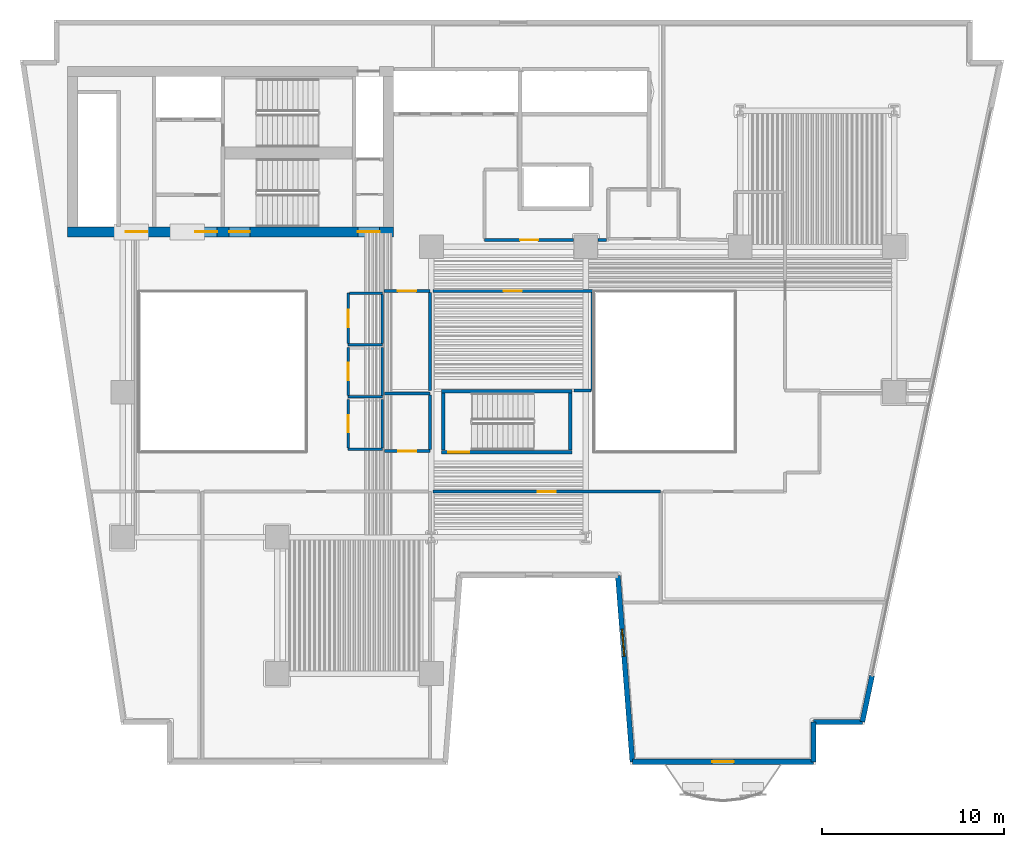
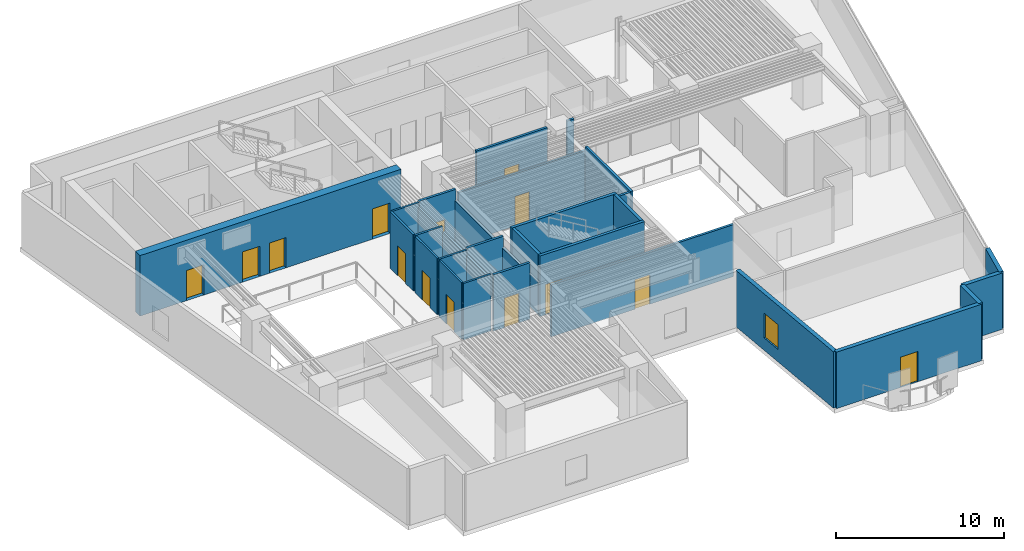
# One storey, part 4 of 11: 31 walls, 14 doors, 1 window, 15 openings.
"""IFC4 building model written with IfcOpenShell, lengths in metres."""

import ifcopenshell
import ifcopenshell.guid

model = None  # the IFC model being written
_history = None  # IfcOwnerHistory: only IFC2X3 demands one
_inside = {}  # id of a spatial element -> (the spatial element, [elements in it])
_under = {}  # id of a project, library or spatial element -> (it, [spatial elements below it])
_declared = {}  # id of a project -> (the project, [libraries it declares])
_typed = {}  # id of a type object -> (the type object, [elements of that type])
_made_of = {}  # id of a material, layer set ... -> (it, [elements and type objects made of it])


def new_model(schema):
    """Start an empty IFC model of exactly this schema.

    Asked for "IFC4X3", IfcOpenShell would pick the latest addendum, in which some entities
    have other attributes; the version numbers below select the first issue.
    IFC2X3 requires an IfcOwnerHistory on every rooted entity: one is made here for all.
    """
    global model, _history
    if schema == "IFC4X3":
        model = ifcopenshell.file(schema_version=(4, 3, 0, 0))
    else:
        model = ifcopenshell.file(schema=schema)
    _inside.clear()
    _under.clear()
    _declared.clear()
    _typed.clear()
    _made_of.clear()
    _history = None
    if model.schema == "IFC2X3":
        org = make("IfcOrganization", Name="unknown")
        user = make(
            "IfcPersonAndOrganization",
            ThePerson=make("IfcPerson", FamilyName="unknown"),
            TheOrganization=org,
        )
        app = make(
            "IfcApplication",
            ApplicationDeveloper=org,
            Version="unknown",
            ApplicationFullName="unknown",
            ApplicationIdentifier="unknown",
        )
        _history = make(
            "IfcOwnerHistory",
            OwningUser=user,
            OwningApplication=app,
            ChangeAction="ADDED",
            CreationDate=0,
        )
    return model


def make(cls, **values):
    """One entity of the class cls with the attributes given. An attribute that is None is left unset."""
    return model.create_entity(
        cls, **{name: value for name, value in values.items() if value is not None}
    )


def rooted(cls, **values):
    """An entity with a GlobalId (a new one), such as an element, a storey or a relation."""
    return make(cls, GlobalId=ifcopenshell.guid.new(), OwnerHistory=_history, **values)


def si_unit(unit_type, name, prefix=None):
    """IfcSIUnit, for example si_unit("LENGTHUNIT", "METRE", prefix="MILLI")."""
    return make("IfcSIUnit", UnitType=unit_type, Prefix=prefix, Name=name)


def assignment(units):
    """IfcUnitAssignment: the units of a project."""
    return None if units is None else make("IfcUnitAssignment", Units=units)


def point(xyz):
    """IfcCartesianPoint."""
    return None if xyz is None else make("IfcCartesianPoint", Coordinates=xyz)


def direction(xyz):
    """IfcDirection."""
    return None if xyz is None else make("IfcDirection", DirectionRatios=xyz)


def frame(location, z_axis=None, x_axis=None):
    """IfcAxis2Placement3D, a coordinate frame: its origin and axes. An axis left out is left unset."""
    return make(
        "IfcAxis2Placement3D",
        Location=point(location),
        Axis=direction(z_axis),
        RefDirection=direction(x_axis),
    )


def frame_2d(location, x_axis=None):
    """IfcAxis2Placement2D, a coordinate frame in the plane: its origin and x axis."""
    return make(
        "IfcAxis2Placement2D", Location=point(location), RefDirection=direction(x_axis)
    )


def origin():
    """The frame at (0, 0, 0) with its axes left unset."""
    return frame((0.0, 0.0, 0.0))


def place(relative_to, where):
    """IfcLocalPlacement: puts the frame where relative to a parent placement (None: the world)."""
    return make(
        "IfcLocalPlacement", PlacementRelTo=relative_to, RelativePlacement=where
    )


def context(
    kind, dimensions, precision=None, world=None, true_north=None, identifier=None
):
    """IfcGeometricRepresentationContext, for example the 3D "Model" context."""
    return make(
        "IfcGeometricRepresentationContext",
        ContextIdentifier=identifier,
        ContextType=kind,
        CoordinateSpaceDimension=dimensions,
        Precision=precision,
        WorldCoordinateSystem=world,
        TrueNorth=true_north,
    )


def subcontext(parent, identifier, kind, view, scale=None):
    """IfcGeometricRepresentationSubContext, for example "Body" below "Model"."""
    return make(
        "IfcGeometricRepresentationSubContext",
        ContextIdentifier=identifier,
        ContextType=kind,
        ParentContext=parent,
        TargetScale=scale,
        TargetView=view,
    )


def project(units=None, contexts=None):
    """IfcProject with its units and contexts."""
    return rooted(
        "IfcProject",
        Name="project",
        RepresentationContexts=contexts,
        UnitsInContext=assignment(units),
    )


def spatial(cls, under=None, at=None, **own):
    """A site, building, storey or space (cls), placed at a placement, below another one or the project."""
    s = rooted(cls, ObjectPlacement=at, **own)
    if under is not None:
        _under.setdefault(under.id(), (under, []))[1].append(s)
    return s


def profile(cls, at=None, kind="AREA", **sizes):
    """A parametric profile (cls). Its sizes go by their IFC names, for example OverallWidth=200.0."""
    return make(cls, ProfileType=kind, Position=at, **sizes)


def rectangle(**sizes):
    """IfcRectangleProfileDef."""
    return profile("IfcRectangleProfileDef", **sizes)


def extrude(swept, where, along, depth):
    """IfcExtrudedAreaSolid: the profile swept, set in the frame where, extruded along a direction by depth."""
    return make(
        "IfcExtrudedAreaSolid",
        SweptArea=swept,
        Position=where,
        ExtrudedDirection=direction(along),
        Depth=depth,
    )


def shape(context_of_items, identifier, shape_type, items):
    """IfcShapeRepresentation: the items that make up one representation, for example the "Body"."""
    return make(
        "IfcShapeRepresentation",
        ContextOfItems=context_of_items,
        RepresentationIdentifier=identifier,
        RepresentationType=shape_type,
        Items=items,
    )


def material(Name=None, Category=None):
    """IfcMaterial."""
    return make("IfcMaterial", Name=Name, Category=Category)


def layer(
    of_material, thickness, ventilated=None, Name=None, Category=None, Priority=None
):
    """IfcMaterialLayer: one layer of a wall or slab, of a material (None: an air gap)."""
    return make(
        "IfcMaterialLayer",
        Material=of_material,
        LayerThickness=thickness,
        IsVentilated=ventilated,
        Name=Name,
        Category=Category,
        Priority=Priority,
    )


def layer_set(layers, Name=None):
    """IfcMaterialLayerSet."""
    return make("IfcMaterialLayerSet", MaterialLayers=layers, LayerSetName=Name)


def made_of(thing, what):
    """Note that an element or type object is made of a material, layer set ...; save() writes the relation."""
    if what is not None:
        _made_of.setdefault(what.id(), (what, []))[1].append(thing)
    return thing


def type_object(cls, material=None, **own):
    """A type object (cls), such as IfcWallType, which elements share."""
    return made_of(rooted(cls, **own), material)


def element(
    cls,
    number,
    at=None,
    inside=None,
    cuts=None,
    type_object=None,
    material=None,
    context=None,
    identifier="Body",
    shape_type=None,
    held_by="IfcProductDefinitionShape",
    body=None,
    shapes=None,
    **own,
):
    """One element of the class cls, such as IfcWall. Its Tag is "e" and its number.

    at: its placement. inside: the storey or other place that contains it. cuts: it is an
    opening in that element (IfcRelVoidsElement). A single representation is given by context,
    identifier, shape_type and body (its items); several are given by shapes. held_by: the class
    of the entity that holds the representations. save() writes the other relations.
    """
    e = rooted(cls, Tag="e%d" % number, ObjectPlacement=at, **own)
    if body is not None:
        shapes = [shape(context, identifier, shape_type, body)]
    if shapes is not None:
        e.Representation = make(held_by, Representations=shapes)
    if inside is not None:
        _inside.setdefault(inside.id(), (inside, []))[1].append(e)
    if cuts is not None:
        rooted(
            "IfcRelVoidsElement", RelatingBuildingElement=cuts, RelatedOpeningElement=e
        )
    if type_object is not None:
        _typed.setdefault(type_object.id(), (type_object, []))[1].append(e)
    return made_of(e, material)


def fill(opening, filler):
    """IfcRelFillsElement: the door or window that sits in an opening."""
    return rooted(
        "IfcRelFillsElement",
        RelatingOpeningElement=opening,
        RelatedBuildingElement=filler,
    )


def aggregate(whole, parts):
    """IfcRelAggregates: a whole, such as a stair, and the parts it consists of."""
    return rooted("IfcRelAggregates", RelatingObject=whole, RelatedObjects=parts)


def save(model, path):
    """Write the relations noted so far, then the file.

    IfcRelAggregates (storeys below a building ...), IfcRelContainedInSpatialStructure (elements
    in a storey), IfcRelDefinesByType, IfcRelAssociatesMaterial and IfcRelDeclares: one each for
    every whole, place, type object, material and project.
    """
    for whole, parts in _under.values():
        aggregate(whole, parts)
    for where, things in _inside.values():
        rooted(
            "IfcRelContainedInSpatialStructure",
            RelatedElements=things,
            RelatingStructure=where,
        )
    for kind, things in _typed.values():
        rooted("IfcRelDefinesByType", RelatedObjects=things, RelatingType=kind)
    for what, things in _made_of.values():
        rooted("IfcRelAssociatesMaterial", RelatedObjects=things, RelatingMaterial=what)
    for by, libraries in _declared.values():
        rooted("IfcRelDeclares", RelatingContext=by, RelatedDefinitions=libraries)
    model.write(path)


model = new_model("IFC4")

# Units and contexts
model_context = context("Model", 3, precision=1e-05, world=origin(), true_north=direction((0.0, 1.0)))
body_context = subcontext(model_context, "Body", "Model", "MODEL_VIEW")
ifc_project = project(units=[si_unit("LENGTHUNIT", "METRE"), si_unit("AREAUNIT", "SQUARE_METRE"), si_unit("VOLUMEUNIT", "CUBIC_METRE"), si_unit("PLANEANGLEUNIT", "RADIAN"), si_unit("MASSUNIT", "GRAM", prefix="KILO")], contexts=[model_context])

# Site, building, storey
site_placement = place(None, origin())
site = spatial("IfcSite", under=ifc_project, at=site_placement, CompositionType="ELEMENT")
building_placement = place(site_placement, origin())
building = spatial("IfcBuilding", under=site, at=building_placement, Name="Caeloran Harvest Quay", CompositionType="ELEMENT")
storey_placement = place(building_placement, frame((0.0, 0.0, 49.0)))
storey = spatial("IfcBuildingStorey", under=building, at=storey_placement, Name="L11", CompositionType="ELEMENT", Elevation=49.0)

# Walls
ifc_material_1 = material(Name="Precast concrete C50/60", Category="concrete")
ifc_layer_1 = layer(ifc_material_1, 0.280029296875, Name="Precast concrete C50/60")
ifc_layer_set_1 = layer_set([ifc_layer_1], Name="Precast concrete C50/60")
wall_type_1 = type_object("IfcWallType", Name="ENV-WALL-EW-280", PredefinedType="STANDARD", material=ifc_layer_set_1)
wall_1_placement = place(storey_placement, frame((49.77001953125, 7.384521484375, 0.0), z_axis=(0.0, 0.0, 1.0), x_axis=(-0.205551409765, -0.978646319128, 0.0)))
element("IfcWall", 1, at=wall_1_placement, inside=storey, type_object=wall_type_1, Name="L11 Exterior Facade Corner Pier Wall 9B", PredefinedType="STANDARD", context=body_context, shape_type="SweptSolid", body=[
    extrude(rectangle(XDim=2.599853515625, YDim=0.280029296875, at=frame_2d((1.2998046875, 0.0))), origin(), (0.0, 0.0, 1.0), 4.10009765625),
])
wall_2_placement = place(storey_placement, frame((49.235595703125, 4.840087890625, 0.0), z_axis=(0.0, 0.0, 1.0), x_axis=(-1.0, 0.0, 0.0)))
element("IfcWall", 2, at=wall_2_placement, inside=storey, type_object=wall_type_1, Name="L11 Exterior Precast Concrete Facade Wall 10", PredefinedType="STANDARD", context=body_context, shape_type="SweptSolid", body=[
    extrude(rectangle(XDim=2.6884765625, YDim=0.280029296875, at=frame_2d((1.34423828125, 0.0))), origin(), (0.0, 0.0, 1.0), 4.10009765625),
])
wall_3_placement = place(storey_placement, frame((46.547119140625, 4.840087890625, 0.0), z_axis=(0.0, 0.0, 1.0), x_axis=(0.0, -1.0, 0.0)))
element("IfcWall", 3, at=wall_3_placement, inside=storey, type_object=wall_type_1, Name="L11 Exterior Precast Concrete Facade Wall 11", PredefinedType="STANDARD", context=body_context, shape_type="SweptSolid", body=[
    extrude(rectangle(XDim=2.2001953125, YDim=0.280029296875, at=frame_2d((1.10009765625, 0.0))), origin(), (0.0, 0.0, 1.0), 4.10009765625),
])

# Wall, opening, door
wall_4_placement = place(storey_placement, frame((46.547119140625, 2.639892578125, 0.0), z_axis=(0.0, 0.0, 1.0), x_axis=(-1.0, 0.0, 0.0)))
wall_4 = element("IfcWall", 4, at=wall_4_placement, inside=storey, type_object=wall_type_1, Name="L11 Exterior Precast Concrete Facade Wall 12", PredefinedType="STANDARD", context=body_context, shape_type="SweptSolid", body=[
    extrude(rectangle(XDim=9.97705078125, YDim=0.280029296875, at=frame_2d((4.988525390625, 0.0))), origin(), (0.0, 0.0, 1.0), 4.10009765625),
])
opening_1_placement = place(wall_4_placement, frame((4.387939453125, 0.0, 0.0)))
opening_1 = element("IfcOpeningElement", 5, at=opening_1_placement, cuts=wall_4, Name="Opening BD-01", PredefinedType="OPENING", context=body_context, shape_type="SweptSolid", body=[
    extrude(rectangle(XDim=1.199951171875, YDim=2.199951171875, at=frame_2d((0.60009765625, 1.10009765625))), frame((0.0, 0.14990234375, 0.0), z_axis=(0.0, -1.0, 0.0), x_axis=(1.0, 0.0, 0.0)), (0.0, 0.0, 1.0), 0.300048828125),
])
ifc_material_2 = material(Name="Thermally Broken Powder-Coated Aluminium and Safety Glass", Category="aluminium")
door_type_1 = type_object("IfcDoorType", Name="EXTDOOR-BD-01", OperationType="NOTDEFINED", PredefinedType="DOOR", material=ifc_material_2)
door_1_placement = place(opening_1_placement, origin())
door_1 = element("IfcDoor", 6, at=door_1_placement, inside=storey, type_object=door_type_1, Name="L11 Planted Balcony Glazed Access Door", OperationType="SINGLE_SWING_RIGHT", OverallHeight=2.199951171875, OverallWidth=1.199951171875, PredefinedType="DOOR", context=body_context, shape_type="SweptSolid", body=[
    extrude(rectangle(XDim=1.199951171875, YDim=2.199951171875, at=frame_2d((0.60009765625, 1.10009765625))), frame((0.0, 0.02490234375, 0.0), z_axis=(0.0, -1.0, 0.0), x_axis=(1.0, 0.0, 0.0)), (0.0, 0.0, 1.0), 0.050048828125),
])
fill(opening_1, door_1)

# Wall, opening, window
wall_5_placement = place(storey_placement, frame((36.570068359375, 2.639892578125, 0.0), z_axis=(0.0, 0.0, 1.0), x_axis=(-0.077816860153, 0.996967670627, 0.0)))
wall_5 = element("IfcWall", 7, at=wall_5_placement, inside=storey, type_object=wall_type_1, Name="L11 Exterior Precast Concrete Facade Wall 13", PredefinedType="STANDARD", context=body_context, shape_type="SweptSolid", body=[
    extrude(rectangle(XDim=10.28125, YDim=0.280029296875, at=frame_2d((5.140625, 0.0))), origin(), (0.0, 0.0, 1.0), 4.10009765625),
])
opening_2_placement = place(wall_5_placement, frame((5.830078125, 0.0, 0.89990234375)))
opening_2 = element("IfcOpeningElement", 8, at=opening_2_placement, cuts=wall_5, Name="Opening W-03", PredefinedType="OPENING", context=body_context, shape_type="SweptSolid", body=[
    extrude(rectangle(XDim=1.5, YDim=1.800048828125, at=frame_2d((0.75, 0.89990234375))), frame((0.0, 0.14990234375, 0.0), z_axis=(0.0, -1.0, 0.0), x_axis=(1.0, 0.0, 0.0)), (0.0, 0.0, 1.0), 0.300048828125),
])
ifc_material_3 = material(Name="Aluminium-Framed Low-E Laminated Glass", Category="aluminium")
window_type = type_object("IfcWindowType", Name="WIN-W-03", PartitioningType="SINGLE_PANEL", PredefinedType="WINDOW", material=ifc_material_3)
window_placement = place(opening_2_placement, origin())
window = element("IfcWindow", 9, at=window_placement, inside=storey, type_object=window_type, Name="L11 Facade Punched Window W-03", OverallHeight=1.800048828125, OverallWidth=1.5, PartitioningType="SINGLE_PANEL", PredefinedType="WINDOW", context=body_context, shape_type="SweptSolid", body=[
    extrude(rectangle(XDim=1.5, YDim=1.800048828125, at=frame_2d((0.75, 0.89990234375))), frame((0.0, 0.030029296875, 0.0), z_axis=(0.0, -1.0, 0.0), x_axis=(1.0, 0.0, 0.0)), (0.0, 0.0, 1.0), 0.06005859375),
])
fill(opening_2, window)

# Wall
ifc_material_4 = material(Name="Moisture-Resistant Cement-Board Sanitary Partition", Category="gypsum")
ifc_layer_2 = layer(ifc_material_4, 0.139892578125, Name="Moisture-Resistant Cement-Board Sanitary Partition")
ifc_layer_set_2 = layer_set([ifc_layer_2], Name="Moisture-Resistant Cement-Board Sanitary Partition")
wall_type_2 = type_object("IfcWallType", Name="INT-WALL-PW-140", PredefinedType="PARTITIONING", material=ifc_layer_set_2)
wall_6_placement = place(storey_placement, frame((22.800048828125, 25.60009765625, 0.0), z_axis=(0.0, 0.0, 1.0), x_axis=(-1.0, 0.0, 0.0)))
element("IfcWall", 10, at=wall_6_placement, inside=storey, type_object=wall_type_2, Name="L11 Male Washroom WC Partition Wall", PredefinedType="PARTITIONING", context=body_context, shape_type="SweptSolid", body=[
    extrude(rectangle(XDim=1.89013671875, YDim=0.139892578125, at=frame_2d((0.945068359375, 0.0))), origin(), (0.0, 0.0, 1.0), 4.10009765625),
])

# Wall, opening, door
wall_7_placement = place(storey_placement, frame((20.909912109375, 25.675048828125, 0.0), z_axis=(0.0, 0.0, 1.0), x_axis=(0.0, 1.0, 0.0)))
wall_7 = element("IfcWall", 11, at=wall_7_placement, inside=storey, type_object=wall_type_2, Name="L11 Male Washroom WC Partition Wall", PredefinedType="PARTITIONING", context=body_context, shape_type="SweptSolid", body=[
    extrude(rectangle(XDim=2.77490234375, YDim=0.139892578125, at=frame_2d((1.387451171875, 0.0))), origin(), (0.0, 0.0, 1.0), 4.10009765625),
])
opening_3_placement = place(wall_7_placement, frame((0.91259765625, 0.0, 0.0)))
opening_3 = element("IfcOpeningElement", 12, at=opening_3_placement, cuts=wall_7, Name="Opening WC-01", PredefinedType="OPENING", context=body_context, shape_type="SweptSolid", body=[
    extrude(rectangle(XDim=0.949951171875, YDim=2.14990234375, at=frame_2d((0.47509765625, 1.074951171875))), frame((0.0, 0.080078125, 0.0), z_axis=(0.0, -1.0, 0.0), x_axis=(1.0, 0.0, 0.0)), (0.0, 0.0, 1.0), 0.159912109375),
])
ifc_material_5 = material(Name="High-Pressure Laminate Moisture-Resistant Timber", Category="wood")
door_type_2 = type_object("IfcDoorType", Name="INTDOOR-WC-01", OperationType="NOTDEFINED", PredefinedType="DOOR", material=ifc_material_5)
door_2_placement = place(opening_3_placement, origin())
door_2 = element("IfcDoor", 13, at=door_2_placement, inside=storey, type_object=door_type_2, Name="L11 Male Washroom WC Access Door", OperationType="SINGLE_SWING_RIGHT", OverallHeight=2.14990234375, OverallWidth=0.949951171875, PredefinedType="DOOR", context=body_context, shape_type="SweptSolid", body=[
    extrude(rectangle(XDim=0.949951171875, YDim=2.14990234375, at=frame_2d((0.47509765625, 1.074951171875))), frame((0.0, 0.02490234375, 0.0), z_axis=(0.0, -1.0, 0.0), x_axis=(1.0, 0.0, 0.0)), (0.0, 0.0, 1.0), 0.050048828125),
])
fill(opening_3, door_2)

# Walls
wall_8_placement = place(storey_placement, frame((20.985107421875, 28.449951171875, 0.0), z_axis=(0.0, 0.0, 1.0), x_axis=(1.0, 0.0, 0.0)))
element("IfcWall", 14, at=wall_8_placement, inside=storey, type_object=wall_type_2, Name="L11 Male Washroom WC Partition Wall", PredefinedType="PARTITIONING", context=body_context, shape_type="SweptSolid", body=[
    extrude(rectangle(XDim=1.81494140625, YDim=0.139892578125, at=frame_2d((0.907470703125, 0.0))), origin(), (0.0, 0.0, 1.0), 4.10009765625),
])
wall_9_placement = place(storey_placement, frame((22.800048828125, 28.375, 0.0), z_axis=(0.0, 0.0, 1.0), x_axis=(0.0, -1.0, 0.0)))
element("IfcWall", 15, at=wall_9_placement, inside=storey, type_object=wall_type_2, Name="L11 Male Washroom WC Partition Wall", PredefinedType="PARTITIONING", context=body_context, shape_type="SweptSolid", body=[
    extrude(rectangle(XDim=2.699951171875, YDim=0.139892578125, at=frame_2d((1.35009765625, 0.0))), origin(), (0.0, 0.0, 1.0), 3.784912109375),
])
wall_10_placement = place(storey_placement, frame((22.800048828125, 22.75, 0.0), z_axis=(0.0, 0.0, 1.0), x_axis=(-1.0, 0.0, 0.0)))
element("IfcWall", 16, at=wall_10_placement, inside=storey, type_object=wall_type_2, Name="L11 Female Washroom WC Partition Wall", PredefinedType="PARTITIONING", context=body_context, shape_type="SweptSolid", body=[
    extrude(rectangle(XDim=1.89013671875, YDim=0.139892578125, at=frame_2d((0.945068359375, 0.0))), origin(), (0.0, 0.0, 1.0), 4.10009765625),
])

# Wall, opening, door
wall_11_placement = place(storey_placement, frame((20.909912109375, 22.824951171875, 0.0), z_axis=(0.0, 0.0, 1.0), x_axis=(0.0, 1.0, 0.0)))
wall_11 = element("IfcWall", 17, at=wall_11_placement, inside=storey, type_object=wall_type_2, Name="L11 Female Washroom WC Partition Wall", PredefinedType="PARTITIONING", context=body_context, shape_type="SweptSolid", body=[
    extrude(rectangle(XDim=2.625, YDim=0.139892578125, at=frame_2d((1.3125, 0.0))), origin(), (0.0, 0.0, 1.0), 4.10009765625),
])
opening_4_placement = place(wall_11_placement, frame((0.83740234375, 0.0, 0.0)))
opening_4 = element("IfcOpeningElement", 18, at=opening_4_placement, cuts=wall_11, Name="Opening WC-01", PredefinedType="OPENING", context=body_context, shape_type="SweptSolid", body=[
    extrude(rectangle(XDim=0.949951171875, YDim=2.14990234375, at=frame_2d((0.47509765625, 1.074951171875))), frame((0.0, 0.080078125, 0.0), z_axis=(0.0, -1.0, 0.0), x_axis=(1.0, 0.0, 0.0)), (0.0, 0.0, 1.0), 0.159912109375),
])
door_3_placement = place(opening_4_placement, origin())
door_3 = element("IfcDoor", 19, at=door_3_placement, inside=storey, type_object=door_type_2, Name="L11 Female Washroom WC Access Door", OperationType="SINGLE_SWING_LEFT", OverallHeight=2.14990234375, OverallWidth=0.949951171875, PredefinedType="DOOR", context=body_context, shape_type="SweptSolid", body=[
    extrude(rectangle(XDim=0.949951171875, YDim=2.14990234375, at=frame_2d((0.47509765625, 1.074951171875))), frame((0.0, 0.02490234375, 0.0), z_axis=(0.0, -1.0, 0.0), x_axis=(1.0, 0.0, 0.0)), (0.0, 0.0, 1.0), 0.050048828125),
])
fill(opening_4, door_3)

# Walls
wall_12_placement = place(storey_placement, frame((22.800048828125, 25.449951171875, 0.0), z_axis=(0.0, 0.0, 1.0), x_axis=(0.0, -1.0, 0.0)))
element("IfcWall", 20, at=wall_12_placement, inside=storey, type_object=wall_type_2, Name="L11 Female Washroom WC Partition Wall", PredefinedType="PARTITIONING", context=body_context, shape_type="SweptSolid", body=[
    extrude(rectangle(XDim=2.625, YDim=0.139892578125, at=frame_2d((1.3125, 0.0))), origin(), (0.0, 0.0, 1.0), 3.784912109375),
])
wall_13_placement = place(storey_placement, frame((22.800048828125, 19.85009765625, 0.0), z_axis=(0.0, 0.0, 1.0), x_axis=(-1.0, 0.0, 0.0)))
element("IfcWall", 21, at=wall_13_placement, inside=storey, type_object=wall_type_2, Name="L11 Accessible Unisex Washroom WC Partition Wall", PredefinedType="PARTITIONING", context=body_context, shape_type="SweptSolid", body=[
    extrude(rectangle(XDim=1.89013671875, YDim=0.139892578125, at=frame_2d((0.945068359375, 0.0))), origin(), (0.0, 0.0, 1.0), 4.10009765625),
])

# Wall, opening, door
wall_14_placement = place(storey_placement, frame((20.909912109375, 19.925048828125, 0.0), z_axis=(0.0, 0.0, 1.0), x_axis=(0.0, 1.0, 0.0)))
wall_14 = element("IfcWall", 22, at=wall_14_placement, inside=storey, type_object=wall_type_2, Name="L11 Accessible Unisex Washroom WC Partition Wall", PredefinedType="PARTITIONING", context=body_context, shape_type="SweptSolid", body=[
    extrude(rectangle(XDim=2.675048828125, YDim=0.139892578125, at=frame_2d((1.33740234375, 0.0))), origin(), (0.0, 0.0, 1.0), 4.10009765625),
])
opening_5_placement = place(wall_14_placement, frame((0.862548828125, 0.0, 0.0)))
opening_5 = element("IfcOpeningElement", 23, at=opening_5_placement, cuts=wall_14, Name="Opening WC-01", PredefinedType="OPENING", context=body_context, shape_type="SweptSolid", body=[
    extrude(rectangle(XDim=0.949951171875, YDim=2.14990234375, at=frame_2d((0.47509765625, 1.074951171875))), frame((0.0, 0.080078125, 0.0), z_axis=(0.0, -1.0, 0.0), x_axis=(1.0, 0.0, 0.0)), (0.0, 0.0, 1.0), 0.159912109375),
])
door_4_placement = place(opening_5_placement, origin())
door_4 = element("IfcDoor", 24, at=door_4_placement, inside=storey, type_object=door_type_2, Name="L11 Accessible Unisex Washroom WC Access Door", OperationType="SINGLE_SWING_RIGHT", OverallHeight=2.14990234375, OverallWidth=0.949951171875, PredefinedType="DOOR", context=body_context, shape_type="SweptSolid", body=[
    extrude(rectangle(XDim=0.949951171875, YDim=2.14990234375, at=frame_2d((0.47509765625, 1.074951171875))), frame((0.0, 0.02490234375, 0.0), z_axis=(0.0, -1.0, 0.0), x_axis=(1.0, 0.0, 0.0)), (0.0, 0.0, 1.0), 0.050048828125),
])
fill(opening_5, door_4)

# Wall
wall_15_placement = place(storey_placement, frame((22.800048828125, 22.60009765625, 0.0), z_axis=(0.0, 0.0, 1.0), x_axis=(0.0, -1.0, 0.0)))
element("IfcWall", 25, at=wall_15_placement, inside=storey, type_object=wall_type_2, Name="L11 Accessible Unisex Washroom WC Partition Wall", PredefinedType="PARTITIONING", context=body_context, shape_type="SweptSolid", body=[
    extrude(rectangle(XDim=2.675048828125, YDim=0.139892578125, at=frame_2d((1.33740234375, 0.0))), origin(), (0.0, 0.0, 1.0), 3.784912109375),
])

# Wall, opening, door
ifc_material_6 = material(Name="Autoclaved Aerated Concrete Blockwork", Category="masonry")
ifc_layer_3 = layer(ifc_material_6, 0.1650390625, Name="Autoclaved Aerated Concrete Blockwork")
ifc_layer_set_3 = layer_set([ifc_layer_3], Name="Autoclaved Aerated Concrete Blockwork")
wall_type_3 = type_object("IfcWallType", Name="INT-WALL-PW-165", PredefinedType="PARTITIONING", material=ifc_layer_set_3)
wall_16_placement = place(storey_placement, frame((25.580078125, 17.52001953125, 0.0), z_axis=(0.0, 0.0, 1.0), x_axis=(1.0, 0.0, 0.0)))
wall_16 = element("IfcWall", 26, at=wall_16_placement, inside=storey, type_object=wall_type_3, Name="Microgreens LED Rack Chamber Partition Wall", PredefinedType="PARTITIONING", context=body_context, shape_type="SweptSolid", body=[
    extrude(rectangle(XDim=12.5400390625, YDim=0.1650390625, at=frame_2d((6.27001953125, 0.0))), origin(), (0.0, 0.0, 1.0), 3.784912109375),
])
opening_6_placement = place(wall_16_placement, frame((5.77001953125, 0.0, 0.0)))
opening_6 = element("IfcOpeningElement", 27, at=opening_6_placement, cuts=wall_16, Name="Opening ID-01", PredefinedType="OPENING", context=body_context, shape_type="SweptSolid", body=[
    extrude(rectangle(XDim=1.0, YDim=2.14990234375, at=frame_2d((0.5, 1.074951171875))), frame((0.0, 0.092529296875, 0.0), z_axis=(0.0, -1.0, 0.0), x_axis=(1.0, 0.0, 0.0)), (0.0, 0.0, 1.0), 0.18505859375),
])
ifc_material_7 = material(Name="FSC Solid-Core Ash Timber and Acoustic Seal", Category="wood")
door_type_3 = type_object("IfcDoorType", Name="INTDOOR-ID-01", OperationType="NOTDEFINED", PredefinedType="DOOR", material=ifc_material_7)
door_5_placement = place(opening_6_placement, origin())
door_5 = element("IfcDoor", 28, at=door_5_placement, inside=storey, type_object=door_type_3, Name="Microgreens LED Rack Chamber Access Door", OperationType="SINGLE_SWING_RIGHT", OverallHeight=2.14990234375, OverallWidth=1.0, PredefinedType="DOOR", context=body_context, shape_type="SweptSolid", body=[
    extrude(rectangle(XDim=1.0, YDim=2.14990234375, at=frame_2d((0.5, 1.074951171875))), frame((0.0, 0.02490234375, 0.0), z_axis=(0.0, -1.0, 0.0), x_axis=(1.0, 0.0, 0.0)), (0.0, 0.0, 1.0), 0.050048828125),
])
fill(opening_6, door_5)

wall_17_placement = place(storey_placement, frame((25.419921875, 19.75, 0.0), z_axis=(0.0, 0.0, 1.0), x_axis=(-1.0, 0.0, 0.0)))
wall_17 = element("IfcWall", 29, at=wall_17_placement, inside=storey, type_object=wall_type_3, Name="Controlled-Climate Seed Vault Laboratory Partition Wall", PredefinedType="PARTITIONING", context=body_context, shape_type="SweptSolid", body=[
    extrude(rectangle(XDim=2.510009765625, YDim=0.1650390625, at=frame_2d((1.2548828125, 0.0))), origin(), (0.0, 0.0, 1.0), 4.10009765625),
])
opening_7_placement = place(wall_17_placement, frame((0.7548828125, 0.0, 0.0)))
opening_7 = element("IfcOpeningElement", 30, at=opening_7_placement, cuts=wall_17, Name="Opening ID-01", PredefinedType="OPENING", context=body_context, shape_type="SweptSolid", body=[
    extrude(rectangle(XDim=1.0, YDim=2.14990234375, at=frame_2d((0.5, 1.074951171875))), frame((0.0, 0.092529296875, 0.0), z_axis=(0.0, -1.0, 0.0), x_axis=(1.0, 0.0, 0.0)), (0.0, 0.0, 1.0), 0.18505859375),
])
door_6_placement = place(opening_7_placement, origin())
door_6 = element("IfcDoor", 31, at=door_6_placement, inside=storey, type_object=door_type_3, Name="Controlled-Climate Seed Vault Laboratory Access Door", OperationType="SINGLE_SWING_LEFT", OverallHeight=2.14990234375, OverallWidth=1.0, PredefinedType="DOOR", context=body_context, shape_type="SweptSolid", body=[
    extrude(rectangle(XDim=1.0, YDim=2.14990234375, at=frame_2d((0.5, 1.074951171875))), frame((0.0, 0.02490234375, 0.0), z_axis=(0.0, -1.0, 0.0), x_axis=(1.0, 0.0, 0.0)), (0.0, 0.0, 1.0), 0.050048828125),
])
fill(opening_7, door_6)

# Walls
wall_18_placement = place(storey_placement, frame((22.909912109375, 22.919921875, 0.0), z_axis=(0.0, 0.0, 1.0), x_axis=(1.0, 0.0, 0.0)))
element("IfcWall", 32, at=wall_18_placement, inside=storey, type_object=wall_type_3, Name="Controlled-Climate Seed Vault Laboratory Partition Wall", PredefinedType="PARTITIONING", context=body_context, shape_type="SweptSolid", body=[
    extrude(rectangle(XDim=2.510009765625, YDim=0.1650390625, at=frame_2d((1.2548828125, 0.0))), origin(), (0.0, 0.0, 1.0), 4.10009765625),
])
wall_19_placement = place(storey_placement, frame((25.419921875, 22.83251953125, 0.0), z_axis=(0.0, 0.0, 1.0), x_axis=(0.0, -1.0, 0.0)))
element("IfcWall", 33, at=wall_19_placement, inside=storey, type_object=wall_type_3, Name="Controlled-Climate Seed Vault Laboratory Partition Wall", PredefinedType="PARTITIONING", context=body_context, shape_type="SweptSolid", body=[
    extrude(rectangle(XDim=2.9951171875, YDim=0.1650390625, at=frame_2d((1.49755859375, 0.0))), origin(), (0.0, 0.0, 1.0), 3.284912109375),
])

# Wall, opening, door
wall_20_placement = place(storey_placement, frame((22.889892578125, 28.570068359375, 0.0), z_axis=(0.0, 0.0, 1.0), x_axis=(1.0, 0.0, 0.0)))
wall_20 = element("IfcWall", 34, at=wall_20_placement, inside=storey, type_object=wall_type_3, Name="Farm Operations Office Partition Wall", PredefinedType="PARTITIONING", context=body_context, shape_type="SweptSolid", body=[
    extrude(rectangle(XDim=2.530029296875, YDim=0.1650390625, at=frame_2d((1.26513671875, 0.0))), origin(), (0.0, 0.0, 1.0), 4.10009765625),
])
opening_8_placement = place(wall_20_placement, frame((0.764892578125, 0.0, 0.0)))
opening_8 = element("IfcOpeningElement", 35, at=opening_8_placement, cuts=wall_20, Name="Opening ID-01", PredefinedType="OPENING", context=body_context, shape_type="SweptSolid", body=[
    extrude(rectangle(XDim=1.0, YDim=2.14990234375, at=frame_2d((0.5, 1.074951171875))), frame((0.0, 0.092529296875, 0.0), z_axis=(0.0, -1.0, 0.0), x_axis=(1.0, 0.0, 0.0)), (0.0, 0.0, 1.0), 0.18505859375),
])
door_7_placement = place(opening_8_placement, origin())
door_7 = element("IfcDoor", 36, at=door_7_placement, inside=storey, type_object=door_type_3, Name="Farm Operations Office Access Door", OperationType="SINGLE_SWING_RIGHT", OverallHeight=2.14990234375, OverallWidth=1.0, PredefinedType="DOOR", context=body_context, shape_type="SweptSolid", body=[
    extrude(rectangle(XDim=1.0, YDim=2.14990234375, at=frame_2d((0.5, 1.074951171875))), frame((0.0, 0.02490234375, 0.0), z_axis=(0.0, -1.0, 0.0), x_axis=(1.0, 0.0, 0.0)), (0.0, 0.0, 1.0), 0.050048828125),
])
fill(opening_8, door_7)

# Wall
wall_21_placement = place(storey_placement, frame((25.419921875, 28.482421875, 0.0), z_axis=(0.0, 0.0, 1.0), x_axis=(0.0, -1.0, 0.0)))
element("IfcWall", 37, at=wall_21_placement, inside=storey, type_object=wall_type_3, Name="Farm Operations Office Partition Wall", PredefinedType="PARTITIONING", context=body_context, shape_type="SweptSolid", body=[
    extrude(rectangle(XDim=5.40234375, YDim=0.1650390625, at=frame_2d((2.701171875, 0.0))), origin(), (0.0, 0.0, 1.0), 3.284912109375),
])

# Wall, opening, door
wall_22_placement = place(storey_placement, frame((25.580078125, 28.570068359375, 0.0), z_axis=(0.0, 0.0, 1.0), x_axis=(1.0, 0.0, 0.0)))
wall_22 = element("IfcWall", 38, at=wall_22_placement, inside=storey, type_object=wall_type_3, Name="Botanical Tasting Meeting Room Partition Wall", PredefinedType="PARTITIONING", context=body_context, shape_type="SweptSolid", body=[
    extrude(rectangle(XDim=8.7900390625, YDim=0.1650390625, at=frame_2d((4.39501953125, 0.0))), origin(), (0.0, 0.0, 1.0), 3.784912109375),
])
opening_9_placement = place(wall_22_placement, frame((3.89501953125, 0.0, 0.0)))
opening_9 = element("IfcOpeningElement", 39, at=opening_9_placement, cuts=wall_22, Name="Opening ID-01", PredefinedType="OPENING", context=body_context, shape_type="SweptSolid", body=[
    extrude(rectangle(XDim=1.0, YDim=2.14990234375, at=frame_2d((0.5, 1.074951171875))), frame((0.0, 0.092529296875, 0.0), z_axis=(0.0, -1.0, 0.0), x_axis=(1.0, 0.0, 0.0)), (0.0, 0.0, 1.0), 0.18505859375),
])
door_8_placement = place(opening_9_placement, origin())
door_8 = element("IfcDoor", 40, at=door_8_placement, inside=storey, type_object=door_type_3, Name="Botanical Tasting Meeting Room Access Door", OperationType="SINGLE_SWING_LEFT", OverallHeight=2.14990234375, OverallWidth=1.0, PredefinedType="DOOR", context=body_context, shape_type="SweptSolid", body=[
    extrude(rectangle(XDim=1.0, YDim=2.14990234375, at=frame_2d((0.5, 1.074951171875))), frame((0.0, 0.02490234375, 0.0), z_axis=(0.0, -1.0, 0.0), x_axis=(1.0, 0.0, 0.0)), (0.0, 0.0, 1.0), 0.050048828125),
])
fill(opening_9, door_8)

# Walls
wall_23_placement = place(storey_placement, frame((34.3701171875, 28.482421875, 0.0), z_axis=(0.0, 0.0, 1.0), x_axis=(0.0, -1.0, 0.0)))
element("IfcWall", 41, at=wall_23_placement, inside=storey, type_object=wall_type_3, Name="Botanical Tasting Meeting Room Partition Wall", PredefinedType="PARTITIONING", context=body_context, shape_type="SweptSolid", body=[
    extrude(rectangle(XDim=5.40234375, YDim=0.1650390625, at=frame_2d((2.701171875, 0.0))), origin(), (0.0, 0.0, 1.0), 4.10009765625),
])
wall_24_placement = place(storey_placement, frame((34.282470703125, 23.080078125, 0.0), z_axis=(0.0, 0.0, 1.0), x_axis=(-1.0, 0.0, 0.0)))
element("IfcWall", 42, at=wall_24_placement, inside=storey, type_object=wall_type_3, Name="Botanical Tasting Meeting Room Partition Wall", PredefinedType="PARTITIONING", context=body_context, shape_type="SweptSolid", body=[
    extrude(rectangle(XDim=0.93798828125, YDim=0.1650390625, at=frame_2d((0.468994140625, 0.0))), origin(), (0.0, 0.0, 1.0), 4.10009765625),
])
wall_25_placement = place(storey_placement, frame((35.155517578125, 31.3798828125, 0.0), z_axis=(0.0, 0.0, 1.0), x_axis=(-1.0, 0.0, 0.0)))
element("IfcWall", 43, at=wall_25_placement, inside=storey, type_object=wall_type_3, Name="Saffron and Herb Vertical Growing Room 9 Partition Wall", PredefinedType="PARTITIONING", context=body_context, shape_type="SweptSolid", body=[
    extrude(rectangle(XDim=0.48046875, YDim=0.1650390625, at=frame_2d((0.240234375, 0.0))), origin(), (0.0, 0.0, 1.0), 4.10009765625),
])

# Wall, opening, door
wall_26_placement = place(storey_placement, frame((33.324951171875, 31.3798828125, 0.0), z_axis=(0.0, 0.0, 1.0), x_axis=(-1.0, 0.0, 0.0)))
wall_26 = element("IfcWall", 44, at=wall_26_placement, inside=storey, type_object=wall_type_3, Name="Saffron and Herb Vertical Growing Room 9 Partition Wall", PredefinedType="PARTITIONING", context=body_context, shape_type="SweptSolid", body=[
    extrude(rectangle(XDim=4.89501953125, YDim=0.1650390625, at=frame_2d((2.447509765625, 0.0))), origin(), (0.0, 0.0, 1.0), 4.10009765625),
])
opening_10_placement = place(wall_26_placement, frame((1.947509765625, 0.0, 0.0)))
opening_10 = element("IfcOpeningElement", 45, at=opening_10_placement, cuts=wall_26, Name="Opening ID-01", PredefinedType="OPENING", context=body_context, shape_type="SweptSolid", body=[
    extrude(rectangle(XDim=1.0, YDim=2.14990234375, at=frame_2d((0.5, 1.074951171875))), frame((0.0, 0.092529296875, 0.0), z_axis=(0.0, -1.0, 0.0), x_axis=(1.0, 0.0, 0.0)), (0.0, 0.0, 1.0), 0.18505859375),
])
door_9_placement = place(opening_10_placement, origin())
door_9 = element("IfcDoor", 46, at=door_9_placement, inside=storey, type_object=door_type_3, Name="Saffron and Herb Vertical Growing Room 9 Access Door", OperationType="SINGLE_SWING_LEFT", OverallHeight=2.14990234375, OverallWidth=1.0, PredefinedType="DOOR", context=body_context, shape_type="SweptSolid", body=[
    extrude(rectangle(XDim=1.0, YDim=2.14990234375, at=frame_2d((0.5, 1.074951171875))), frame((0.0, 0.02490234375, 0.0), z_axis=(0.0, -1.0, 0.0), x_axis=(1.0, 0.0, 0.0)), (0.0, 0.0, 1.0), 0.050048828125),
])
fill(opening_10, door_9)

# Wall, openings, doors
ifc_material_8 = material(Name="Concrete C80/95", Category="concrete")
ifc_layer_4 = layer(ifc_material_8, 0.550048828125, Name="Concrete C80/95")
ifc_layer_set_4 = layer_set([ifc_layer_4], Name="Concrete C80/95")
wall_type_4 = type_object("IfcWallType", Name="STR-WALL-CW-550", PredefinedType="SHEAR", material=ifc_layer_set_4)
wall_27_placement = place(storey_placement, frame((5.449951171875, 31.824951171875, 0.0), z_axis=(0.0, 0.0, 1.0), x_axis=(1.0, 0.0, 0.0)))
wall_27 = element("IfcWall", 47, at=wall_27_placement, inside=storey, type_object=wall_type_4, Name="L11 Rear Core Shear Wall S", PredefinedType="SHEAR", context=body_context, shape_type="SweptSolid", body=[
    extrude(rectangle(XDim=17.949951171875, YDim=0.550048828125, at=frame_2d((8.97509765625, 0.0))), origin(), (0.0, 0.0, 1.0), 4.39990234375),
])
opening_11_placement = place(wall_27_placement, frame((3.199951171875, 0.0, 0.0)))
opening_11 = element("IfcOpeningElement", 48, at=opening_11_placement, cuts=wall_27, Name="Opening FD-01", PredefinedType="OPENING", context=body_context, shape_type="SweptSolid", body=[
    extrude(rectangle(XDim=1.199951171875, YDim=2.199951171875, at=frame_2d((0.60009765625, 1.10009765625))), frame((0.0, 0.28515625, 0.0), z_axis=(0.0, -1.0, 0.0), x_axis=(1.0, 0.0, 0.0)), (0.0, 0.0, 1.0), 0.570068359375),
])
opening_12_placement = place(wall_27_placement, frame((7.050048828125, 0.0, 0.0)))
opening_12 = element("IfcOpeningElement", 49, at=opening_12_placement, cuts=wall_27, Name="Opening FD-01", PredefinedType="OPENING", context=body_context, shape_type="SweptSolid", body=[
    extrude(rectangle(XDim=1.199951171875, YDim=2.199951171875, at=frame_2d((0.60009765625, 1.10009765625))), frame((0.0, 0.28515625, 0.0), z_axis=(0.0, -1.0, 0.0), x_axis=(1.0, 0.0, 0.0)), (0.0, 0.0, 1.0), 0.570068359375),
])
opening_13_placement = place(wall_27_placement, frame((8.89990234375, 0.0, 0.0)))
opening_13 = element("IfcOpeningElement", 50, at=opening_13_placement, cuts=wall_27, Name="Opening SD-01", PredefinedType="OPENING", context=body_context, shape_type="SweptSolid", body=[
    extrude(rectangle(XDim=1.14990234375, YDim=2.199951171875, at=frame_2d((0.574951171875, 1.10009765625))), frame((0.0, 0.28515625, 0.0), z_axis=(0.0, -1.0, 0.0), x_axis=(1.0, 0.0, 0.0)), (0.0, 0.0, 1.0), 0.570068359375),
])
opening_14_placement = place(wall_27_placement, frame((16.0, 0.0, 0.0)))
opening_14 = element("IfcOpeningElement", 51, at=opening_14_placement, cuts=wall_27, Name="Opening FD-01", PredefinedType="OPENING", context=body_context, shape_type="SweptSolid", body=[
    extrude(rectangle(XDim=1.199951171875, YDim=2.199951171875, at=frame_2d((0.60009765625, 1.10009765625))), frame((0.0, 0.28515625, 0.0), z_axis=(0.0, -1.0, 0.0), x_axis=(1.0, 0.0, 0.0)), (0.0, 0.0, 1.0), 0.570068359375),
])
ifc_material_9 = material(Name="Steel", Category="steel")
door_type_4 = type_object("IfcDoorType", Name="INTDOOR-FD-01", OperationType="NOTDEFINED", PredefinedType="DOOR", material=ifc_material_9)
door_10_placement = place(opening_11_placement, origin())
door_10 = element("IfcDoor", 52, at=door_10_placement, inside=storey, type_object=door_type_4, Name="L11 High-Rise Lift Lobby Fire Door", OperationType="SINGLE_SWING_LEFT", OverallHeight=2.199951171875, OverallWidth=1.199951171875, PredefinedType="DOOR", context=body_context, shape_type="SweptSolid", body=[
    extrude(rectangle(XDim=1.199951171875, YDim=2.199951171875, at=frame_2d((0.60009765625, 1.10009765625))), frame((0.0, 0.02490234375, 0.0), z_axis=(0.0, -1.0, 0.0), x_axis=(1.0, 0.0, 0.0)), (0.0, 0.0, 1.0), 0.050048828125),
])
fill(opening_11, door_10)
door_11_placement = place(opening_12_placement, origin())
door_11 = element("IfcDoor", 53, at=door_11_placement, inside=storey, type_object=door_type_4, Name="L11 Firefighting Lobby Vestibule Fire Door", OperationType="SINGLE_SWING_RIGHT", OverallHeight=2.199951171875, OverallWidth=1.199951171875, PredefinedType="DOOR", context=body_context, shape_type="SweptSolid", body=[
    extrude(rectangle(XDim=1.199951171875, YDim=2.199951171875, at=frame_2d((0.60009765625, 1.10009765625))), frame((0.0, 0.02490234375, 0.0), z_axis=(0.0, -1.0, 0.0), x_axis=(1.0, 0.0, 0.0)), (0.0, 0.0, 1.0), 0.050048828125),
])
fill(opening_12, door_11)
door_12_placement = place(opening_14_placement, origin())
door_12 = element("IfcDoor", 54, at=door_12_placement, inside=storey, type_object=door_type_4, Name="L11 Service Lift Lobby Fire Door", OperationType="SINGLE_SWING_RIGHT", OverallHeight=2.199951171875, OverallWidth=1.199951171875, PredefinedType="DOOR", context=body_context, shape_type="SweptSolid", body=[
    extrude(rectangle(XDim=1.199951171875, YDim=2.199951171875, at=frame_2d((0.60009765625, 1.10009765625))), frame((0.0, 0.02490234375, 0.0), z_axis=(0.0, -1.0, 0.0), x_axis=(1.0, 0.0, 0.0)), (0.0, 0.0, 1.0), 0.050048828125),
])
fill(opening_14, door_12)
door_type_5 = type_object("IfcDoorType", Name="INTDOOR-SD-01", OperationType="NOTDEFINED", PredefinedType="DOOR", material=ifc_material_9)
door_13_placement = place(opening_13_placement, origin())
door_13 = element("IfcDoor", 55, at=door_13_placement, inside=storey, type_object=door_type_5, Name="L11 Protected Stair ST-C2 Exit Door", OperationType="SINGLE_SWING_LEFT", OverallHeight=2.199951171875, OverallWidth=1.14990234375, PredefinedType="DOOR", context=body_context, shape_type="SweptSolid", body=[
    extrude(rectangle(XDim=1.14990234375, YDim=2.199951171875, at=frame_2d((0.574951171875, 1.10009765625))), frame((0.0, 0.02490234375, 0.0), z_axis=(0.0, -1.0, 0.0), x_axis=(1.0, 0.0, 0.0)), (0.0, 0.0, 1.0), 0.050048828125),
])
fill(opening_13, door_13)

# Wall, opening, door
ifc_material_10 = material(Name="Concrete C60/75", Category="concrete")
ifc_layer_5 = layer(ifc_material_10, 0.199951171875, Name="Concrete C60/75")
ifc_layer_set_5 = layer_set([ifc_layer_5], Name="Concrete C60/75")
wall_type_5 = type_object("IfcWallType", Name="STR-WALL-SW-200", PredefinedType="SHEAR", material=ifc_layer_set_5)
wall_28_placement = place(storey_placement, frame((26.050048828125, 19.699951171875, 0.0), z_axis=(0.0, 0.0, 1.0), x_axis=(1.0, 0.0, 0.0)))
wall_28 = element("IfcWall", 56, at=wall_28_placement, inside=storey, type_object=wall_type_5, Name="L11 Stair ST-W1 S RC Shaft Shear Wall", PredefinedType="SHEAR", context=body_context, shape_type="SweptSolid", body=[
    extrude(rectangle(XDim=7.199951171875, YDim=0.199951171875, at=frame_2d((3.60009765625, 0.0))), origin(), (0.0, 0.0, 1.0), 4.39990234375),
])
opening_15_placement = place(wall_28_placement, frame((0.3798828125, 0.0, 0.0)))
opening_15 = element("IfcOpeningElement", 57, at=opening_15_placement, cuts=wall_28, Name="Opening SD-01", PredefinedType="OPENING", context=body_context, shape_type="SweptSolid", body=[
    extrude(rectangle(XDim=1.14990234375, YDim=2.199951171875, at=frame_2d((0.574951171875, 1.10009765625))), frame((0.0, 0.10986328125, 0.0), z_axis=(0.0, -1.0, 0.0), x_axis=(1.0, 0.0, 0.0)), (0.0, 0.0, 1.0), 0.219970703125),
])
door_14_placement = place(opening_15_placement, origin())
door_14 = element("IfcDoor", 58, at=door_14_placement, inside=storey, type_object=door_type_5, Name="L11 Protected Exit Stair ST-W1 Fire Door", OperationType="SINGLE_SWING_RIGHT", OverallHeight=2.199951171875, OverallWidth=1.14990234375, PredefinedType="DOOR", context=body_context, shape_type="SweptSolid", body=[
    extrude(rectangle(XDim=1.14990234375, YDim=2.199951171875, at=frame_2d((0.574951171875, 1.10009765625))), frame((0.0, 0.02490234375, 0.0), z_axis=(0.0, -1.0, 0.0), x_axis=(1.0, 0.0, 0.0)), (0.0, 0.0, 1.0), 0.050048828125),
])
fill(opening_15, door_14)

# Walls
wall_29_placement = place(storey_placement, frame((26.050048828125, 23.050048828125, 0.0), z_axis=(0.0, 0.0, 1.0), x_axis=(1.0, 0.0, 0.0)))
element("IfcWall", 59, at=wall_29_placement, inside=storey, type_object=wall_type_5, Name="L11 Stair ST-W1 N RC Shaft Shear Wall", PredefinedType="SHEAR", context=body_context, shape_type="SweptSolid", body=[
    extrude(rectangle(XDim=7.199951171875, YDim=0.199951171875, at=frame_2d((3.60009765625, 0.0))), origin(), (0.0, 0.0, 1.0), 4.39990234375),
])
for number, where, z_axis, x_axis, name in (
    (60, (26.14990234375, 19.81005859375, 0.0), (0.0, 0.0, 1.0), (0.0, 1.0, 0.0), "L11 Stair ST-W1 W RC Shaft Shear Wall"),
    (61, (33.14990234375, 19.81005859375, 0.0), (0.0, 0.0, 1.0), (0.0, 1.0, 0.0), "L11 Stair ST-W1 E RC Shaft Shear Wall"),
):
    element("IfcWall", number, at=place(storey_placement, frame(where, z_axis=z_axis, x_axis=x_axis)), inside=storey, type_object=wall_type_5, Name=name, PredefinedType="SHEAR", context=body_context, shape_type="SweptSolid", body=[
        extrude(rectangle(XDim=3.1298828125, YDim=0.199951171875, at=frame_2d((1.56494140625, 0.0))), origin(), (0.0, 0.0, 1.0), 4.39990234375),
    ])

save(model, "model.ifc")
